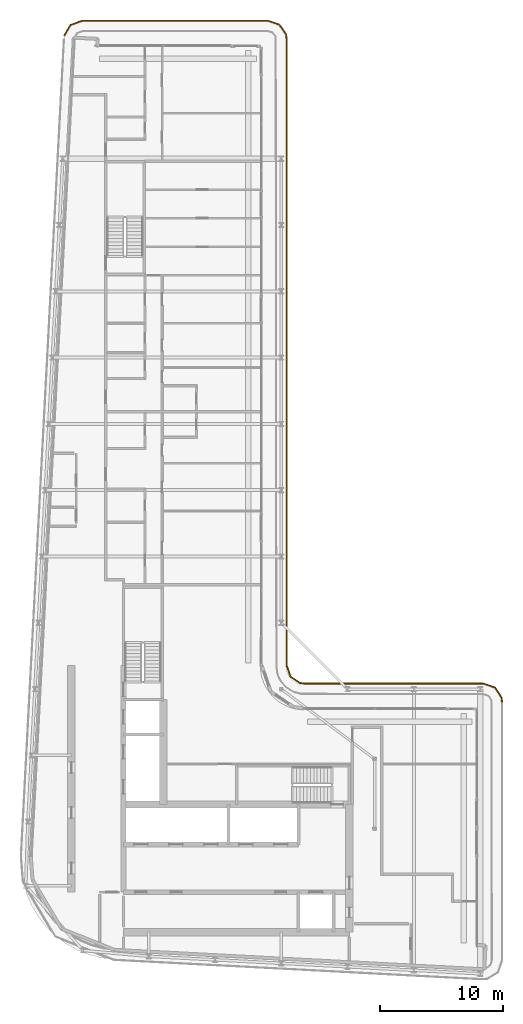
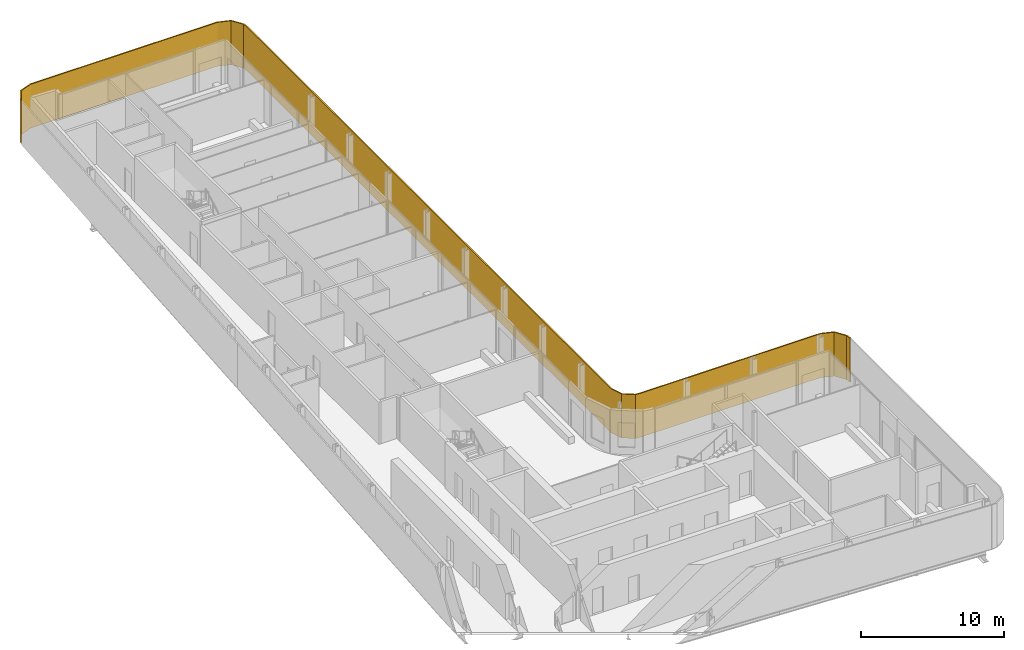
# One storey, part 20 of 21: 1 shading device.
"""IFC4 building model written with IfcOpenShell, lengths in metres."""

from ifc_helpers import new_model, si_unit, direction, frame, origin, place, context, subcontext, project, spatial, polyline, outline, extrude, material, layer, layer_set, type_object, element, save


model = new_model("IFC4")

# Units and contexts
model_context = context("Model", 3, precision=1e-05, world=origin(), true_north=direction((0.0, 1.0)))
body_context = subcontext(model_context, "Body", "Model", "MODEL_VIEW")
ifc_project = project(units=[si_unit("LENGTHUNIT", "METRE"), si_unit("AREAUNIT", "SQUARE_METRE"), si_unit("VOLUMEUNIT", "CUBIC_METRE"), si_unit("PLANEANGLEUNIT", "RADIAN"), si_unit("MASSUNIT", "GRAM", prefix="KILO")], contexts=[model_context])

# Site, building, storey
site_placement = place(None, origin())
site = spatial("IfcSite", under=ifc_project, at=site_placement, CompositionType="ELEMENT")
building_placement = place(site_placement, origin())
building = spatial("IfcBuilding", under=site, at=building_placement, Name="Kheshtan School and Residences Tower", CompositionType="ELEMENT")
storey_placement = place(building_placement, frame((0.0, 0.0, 282.5)))
storey = spatial("IfcBuildingStorey", under=building, at=storey_placement, Name="L66", CompositionType="ELEMENT", Elevation=282.5)

# Shading device
ifc_material = material(Name="Terracotta lattice, extruded ceramic", Category="masonry")
ifc_layer = layer(ifc_material, 0.10009765625)
ifc_layer_set = layer_set([ifc_layer], Name="Loggia screen, terracotta lattice")
shading_device_type = type_object("IfcShadingDeviceType", Name="Loggia screen, terracotta lattice", PredefinedType="USERDEFINED", material=ifc_layer_set)
shading_device_placement = place(storey_placement, origin())
element("IfcShadingDevice", 1, at=shading_device_placement, inside=storey, type_object=shading_device_type, Name="Screen L66 1", ObjectType="SCREEN", PredefinedType="USERDEFINED", context=body_context, shape_type="SweptSolid", body=[
    extrude(outline(polyline([(29.949951171875, 98.783935546875), (30.468017578125, 99.656982421875), (31.423095703125, 100.0), (46.5, 100.0), (47.4130859375, 99.68994140625), (47.948974609375, 98.887939453125), (48.0, 98.5), (48.0, 47.5), (48.31005859375, 46.5869140625), (49.112060546875, 46.051025390625), (49.5, 46.0), (64.050048828125, 46.0), (64.962890625, 45.68994140625), (65.4990234375, 44.887939453125), (65.550048828125, 44.5), (65.64892578125, 44.512939453125), (65.594970703125, 44.924072265625), (65.027099609375, 45.77392578125), (64.06689453125, 46.10009765625), (49.507080078125, 46.10009765625), (49.14794921875, 46.14697265625), (48.39404296875, 46.65087890625), (48.10009765625, 47.51708984375), (48.10009765625, 98.507080078125), (48.044921875, 98.924072265625), (47.47705078125, 99.77392578125), (46.51708984375, 100.10009765625), (31.406005859375, 100.10009765625), (30.39990234375, 99.739013671875), (29.864013671875, 98.8349609375), (29.949951171875, 98.783935546875)])), origin(), (0.0, 0.0, 1.0), 3.75),
])

save(model, "model.ifc")
